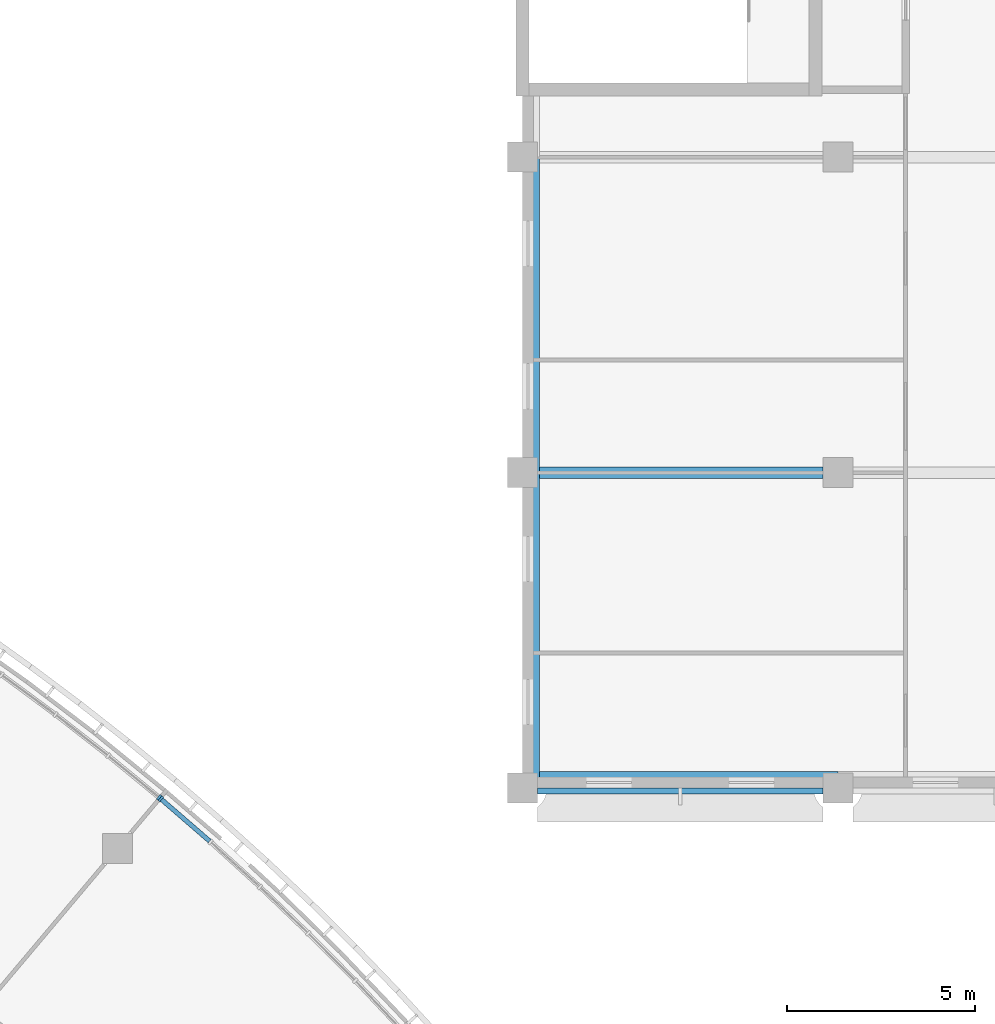
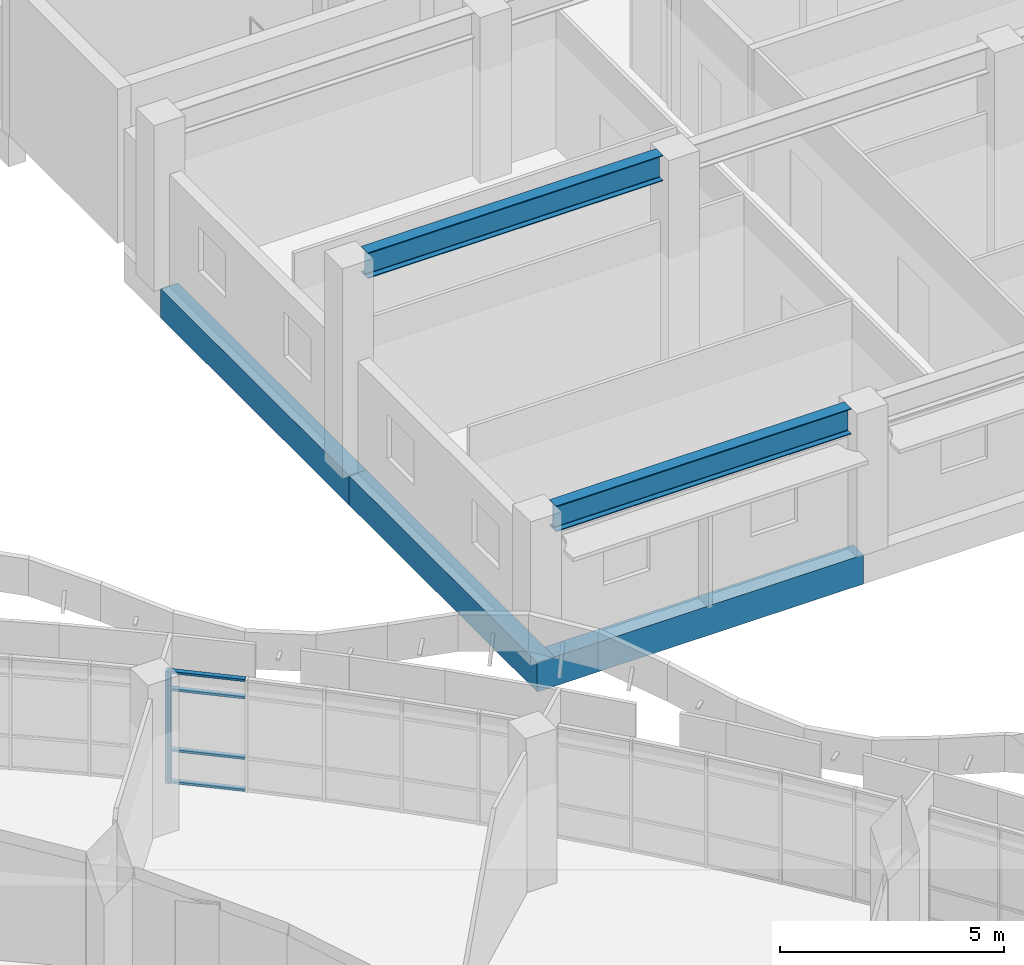
# One storey, part 18 of 109: 6 members, 5 beams, 2 elements without a shape of their own.
"""IFC4 building model written with IfcOpenShell, lengths in metres."""

from ifc_helpers import new_model, si_unit, direction, frame, origin, origin_2d, place, context, subcontext, project, spatial, rectangle, i_section, extrude, material, material_profile, profile_set, type_object, element, aggregate, save


model = new_model("IFC4")

# Units and contexts
model_context = context("Model", 3, precision=1e-05, world=origin(), true_north=direction((0.0, 1.0)))
body_context = subcontext(model_context, "Body", "Model", "MODEL_VIEW")
ifc_project = project(units=[si_unit("LENGTHUNIT", "METRE"), si_unit("AREAUNIT", "SQUARE_METRE"), si_unit("VOLUMEUNIT", "CUBIC_METRE"), si_unit("PLANEANGLEUNIT", "RADIAN"), si_unit("MASSUNIT", "GRAM", prefix="KILO")], contexts=[model_context])

# Site, building, storey
site_placement = place(None, origin())
site = spatial("IfcSite", under=ifc_project, at=site_placement, CompositionType="ELEMENT")
building_placement = place(site_placement, origin())
building = spatial("IfcBuilding", under=site, at=building_placement, Name="Bougainvillea Quay General Hospital", CompositionType="ELEMENT")
storey_placement = place(building_placement, frame((0.0, 0.0, 12.60009765625)))
storey = spatial("IfcBuildingStorey", under=building, at=storey_placement, Name="L02", CompositionType="ELEMENT", Elevation=12.60009765625)

# Curtain wall, member
ifc_material_1 = material(Name="Aluminium curtain wall system, powder-coated glazed", Category="aluminium")
curtain_wall_type = type_object("IfcCurtainWallType", Name="Unitised curtain wall CW-2100", PredefinedType="NOTDEFINED", material=ifc_material_1)
curtain_wall_1_placement = place(storey_placement, origin())
curtain_wall_1 = element("IfcCurtainWall", 1, at=curtain_wall_1_placement, inside=storey, type_object=curtain_wall_type, Name="CW-E02 a23b1", PredefinedType="NOTDEFINED")
ifc_material_2 = material(Name="Aluminium mullion, powder-coated charcoal", Category="aluminium")
ifc_material_profile_1 = material_profile(ifc_material_2, rectangle(XDim=0.159912109375, YDim=0.06005859375, at=origin_2d()))
ifc_profile_set_1 = profile_set([ifc_material_profile_1], Name="Aluminium mullion, powder-coated charcoal")
member_type_1 = type_object("IfcMemberType", Name="Curtain wall mullion 160x60", PredefinedType="MULLION", material=ifc_profile_set_1)
member_1_placement = place(storey_placement, frame((154.127197265625, 75.353759765625, 0.0), z_axis=(0.0, 0.0, 1.0), x_axis=(0.634633403626, 0.772813329985, 0.0)))
member_1 = element("IfcMember", 2, at=member_1_placement, type_object=member_type_1, Name="CW-E02 mullion 6", PredefinedType="MULLION", context=body_context, shape_type="SweptSolid", body=[
    extrude(rectangle(XDim=0.159912109375, YDim=0.06005859375, at=origin_2d()), origin(), (0.0, 0.0, 1.0), 3.0498046875),
])
aggregate(curtain_wall_1, [member_1])

# Curtain wall, members
curtain_wall_2_placement = place(storey_placement, origin())
curtain_wall_2 = element("IfcCurtainWall", 3, at=curtain_wall_2_placement, inside=storey, type_object=curtain_wall_type, Name="CW-E03 a23b2", PredefinedType="NOTDEFINED")
member_2_placement = place(storey_placement, frame((154.1728515625, 75.315185546875, 0.0), z_axis=(0.0, 0.0, 1.0), x_axis=(0.65414960613, 0.756365184815, 0.0)))
member_2 = element("IfcMember", 4, at=member_2_placement, type_object=member_type_1, Name="CW-E03 mullion 1", PredefinedType="MULLION", context=body_context, shape_type="SweptSolid", body=[
    extrude(rectangle(XDim=0.159912109375, YDim=0.06005859375, at=origin_2d()), origin(), (0.0, 0.0, 1.0), 3.0498046875),
])
ifc_material_3 = material(Name="Aluminium transom, powder-coated charcoal", Category="aluminium")
ifc_material_profile_2 = material_profile(ifc_material_3, rectangle(XDim=0.1201171875, YDim=0.06005859375, at=origin_2d()))
ifc_profile_set_2 = profile_set([ifc_material_profile_2], Name="Aluminium transom, powder-coated charcoal")
member_type_2 = type_object("IfcMemberType", Name="Curtain wall transom 120x60", PredefinedType="USERDEFINED", material=ifc_profile_set_2)
member_3_placement = place(storey_placement, frame((154.195556640625, 75.295654296875, 0.02978515625), z_axis=(0.756384417211, -0.654127367873, 0.0), x_axis=(0.654127367873, 0.756384417211, 0.0)))
member_3 = element("IfcMember", 5, at=member_3_placement, type_object=member_type_2, Name="CW-E03 transom 1.1", ObjectType="TRANSOM", PredefinedType="USERDEFINED", context=body_context, shape_type="SweptSolid", body=[
    extrude(rectangle(XDim=0.1201171875, YDim=0.06005859375, at=origin_2d()), origin(), (0.0, 0.0, 1.0), 1.6904296875),
])
member_4_placement = place(storey_placement, frame((154.195556640625, 75.295654296875, 0.89990234375), z_axis=(0.756384417211, -0.654127367873, 0.0), x_axis=(0.654127367873, 0.756384417211, 0.0)))
member_4 = element("IfcMember", 6, at=member_4_placement, type_object=member_type_2, Name="CW-E03 transom 1.2", ObjectType="TRANSOM", PredefinedType="USERDEFINED", context=body_context, shape_type="SweptSolid", body=[
    extrude(rectangle(XDim=0.1201171875, YDim=0.06005859375, at=origin_2d()), origin(), (0.0, 0.0, 1.0), 1.6904296875),
])
member_5_placement = place(storey_placement, frame((154.195556640625, 75.295654296875, 2.5498046875), z_axis=(0.756384417211, -0.654127367873, 0.0), x_axis=(0.654127367873, 0.756384417211, 0.0)))
member_5 = element("IfcMember", 7, at=member_5_placement, type_object=member_type_2, Name="CW-E03 transom 1.3", ObjectType="TRANSOM", PredefinedType="USERDEFINED", context=body_context, shape_type="SweptSolid", body=[
    extrude(rectangle(XDim=0.1201171875, YDim=0.06005859375, at=origin_2d()), origin(), (0.0, 0.0, 1.0), 1.6904296875),
])
member_6_placement = place(storey_placement, frame((154.195556640625, 75.295654296875, 3.02001953125), z_axis=(0.756384417211, -0.654127367873, 0.0), x_axis=(0.654127367873, 0.756384417211, 0.0)))
member_6 = element("IfcMember", 8, at=member_6_placement, type_object=member_type_2, Name="CW-E03 transom 1.4", ObjectType="TRANSOM", PredefinedType="USERDEFINED", context=body_context, shape_type="SweptSolid", body=[
    extrude(rectangle(XDim=0.1201171875, YDim=0.06005859375, at=origin_2d()), origin(), (0.0, 0.0, 1.0), 1.6904296875),
])
aggregate(curtain_wall_2, [member_2, member_3, member_4, member_5, member_6])

# Beams
ifc_material_4 = material(Name="Steel Q355", Category="steel")
ifc_material_profile_3 = material_profile(ifc_material_4, i_section(OverallWidth=0.300048828125, OverallDepth=0.699951171875, WebThickness=0.012939453125, FlangeThickness=0.02392578125, FilletRadius=0.01806640625, at=origin_2d()))
ifc_profile_set_3 = profile_set([ifc_material_profile_3], Name="Steel Q355")
beam_type_1 = type_object("IfcBeamType", Name="HN 700x300x13x24 Q355", PredefinedType="BEAM", material=ifc_profile_set_3)
for number, where, z_axis, x_axis, name in (
    (9, (164.199951171875, 75.60009765625, 3.559814453125), (1.0, 0.0, 0.0), (0.0, 1.0, 0.0), "Roof girder"),
    (10, (164.199951171875, 84.0, 5.35986328125), (1.0, 0.0, 0.0), (0.0, 1.0, 0.0), "Roof girder"),
):
    element("IfcBeam", number, at=place(storey_placement, frame(where, z_axis=z_axis, x_axis=x_axis)), inside=storey, type_object=beam_type_1, Name=name, PredefinedType="BEAM", context=body_context, shape_type="SweptSolid", body=[
        extrude(i_section(OverallWidth=0.300048828125, OverallDepth=0.699951171875, WebThickness=0.012939453125, FlangeThickness=0.02392578125, FilletRadius=0.01806640625, at=origin_2d()), origin(), (0.0, 0.0, 1.0), 7.60009765625),
    ])
ifc_material_5 = material(Name="Concrete C40", Category="concrete")
ifc_material_profile_4 = material_profile(ifc_material_5, rectangle(XDim=0.449951171875, YDim=0.800048828125, at=origin_2d()))
ifc_profile_set_4 = profile_set([ifc_material_profile_4], Name="Concrete C40")
beam_type_2 = type_object("IfcBeamType", Name="RC BEAM 450x800 C40", PredefinedType="BEAM", material=ifc_profile_set_4)
for number, where, z_axis, x_axis, name in (
    (11, (164.02490234375, 92.39990234375, -0.7001953125), (0.0, -1.0, 0.0), (1.0, 0.0, 0.0), "Edge beam L02"),
    (12, (164.02490234375, 84.0, -0.7001953125), (0.0, -1.0, 0.0), (1.0, 0.0, 0.0), "Edge beam L02"),
    (13, (163.800048828125, 75.824951171875, -0.7001953125), (1.0, 0.0, 0.0), (0.0, 1.0, 0.0), "Edge beam L02"),
):
    element("IfcBeam", number, at=place(storey_placement, frame(where, z_axis=z_axis, x_axis=x_axis)), inside=storey, type_object=beam_type_2, Name=name, PredefinedType="BEAM", context=body_context, shape_type="SweptSolid", body=[
        extrude(rectangle(XDim=0.449951171875, YDim=0.800048828125, at=origin_2d()), origin(), (0.0, 0.0, 1.0), 8.39990234375),
    ])

save(model, "model.ifc")
